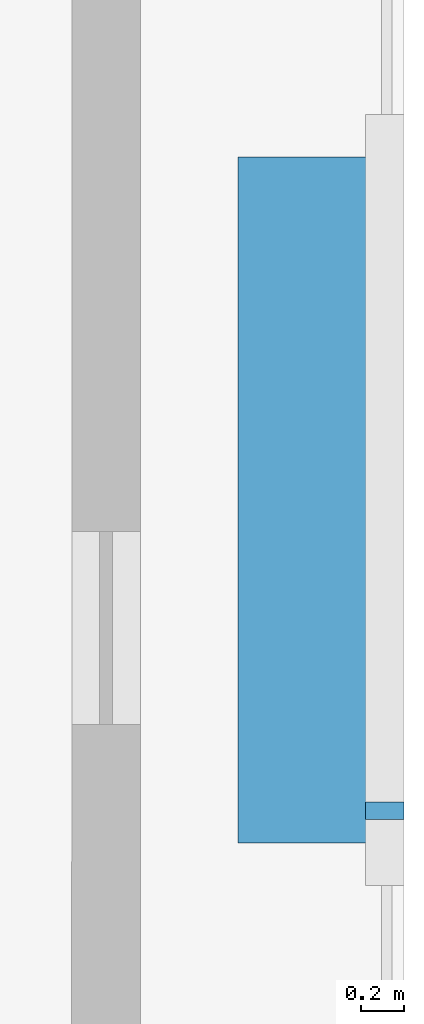
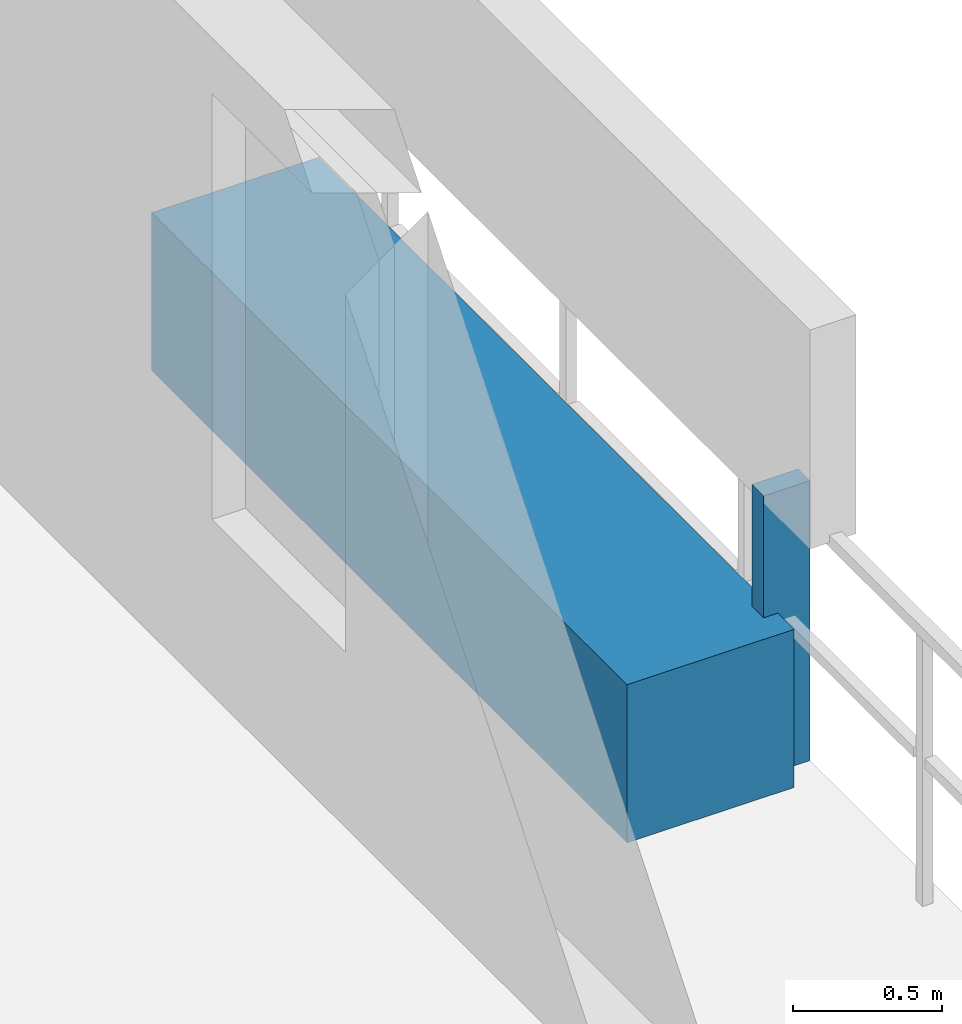
# One storey, part 27 of 31: 2 discrete accessories.
"""IFC4 building model written with IfcOpenShell, lengths in metres."""

import ifcopenshell
import ifcopenshell.guid

model = None  # the IFC model being written
_history = None  # IfcOwnerHistory: only IFC2X3 demands one
_inside = {}  # id of a spatial element -> (the spatial element, [elements in it])
_under = {}  # id of a project, library or spatial element -> (it, [spatial elements below it])
_declared = {}  # id of a project -> (the project, [libraries it declares])
_typed = {}  # id of a type object -> (the type object, [elements of that type])
_made_of = {}  # id of a material, layer set ... -> (it, [elements and type objects made of it])


def new_model(schema):
    """Start an empty IFC model of exactly this schema.

    Asked for "IFC4X3", IfcOpenShell would pick the latest addendum, in which some entities
    have other attributes; the version numbers below select the first issue.
    IFC2X3 requires an IfcOwnerHistory on every rooted entity: one is made here for all.
    """
    global model, _history
    if schema == "IFC4X3":
        model = ifcopenshell.file(schema_version=(4, 3, 0, 0))
    else:
        model = ifcopenshell.file(schema=schema)
    _inside.clear()
    _under.clear()
    _declared.clear()
    _typed.clear()
    _made_of.clear()
    _history = None
    if model.schema == "IFC2X3":
        org = make("IfcOrganization", Name="unknown")
        user = make(
            "IfcPersonAndOrganization",
            ThePerson=make("IfcPerson", FamilyName="unknown"),
            TheOrganization=org,
        )
        app = make(
            "IfcApplication",
            ApplicationDeveloper=org,
            Version="unknown",
            ApplicationFullName="unknown",
            ApplicationIdentifier="unknown",
        )
        _history = make(
            "IfcOwnerHistory",
            OwningUser=user,
            OwningApplication=app,
            ChangeAction="ADDED",
            CreationDate=0,
        )
    return model


def make(cls, **values):
    """One entity of the class cls with the attributes given. An attribute that is None is left unset."""
    return model.create_entity(
        cls, **{name: value for name, value in values.items() if value is not None}
    )


def rooted(cls, **values):
    """An entity with a GlobalId (a new one), such as an element, a storey or a relation."""
    return make(cls, GlobalId=ifcopenshell.guid.new(), OwnerHistory=_history, **values)


def si_unit(unit_type, name, prefix=None):
    """IfcSIUnit, for example si_unit("LENGTHUNIT", "METRE", prefix="MILLI")."""
    return make("IfcSIUnit", UnitType=unit_type, Prefix=prefix, Name=name)


def assignment(units):
    """IfcUnitAssignment: the units of a project."""
    return None if units is None else make("IfcUnitAssignment", Units=units)


def point(xyz):
    """IfcCartesianPoint."""
    return None if xyz is None else make("IfcCartesianPoint", Coordinates=xyz)


def direction(xyz):
    """IfcDirection."""
    return None if xyz is None else make("IfcDirection", DirectionRatios=xyz)


def frame(location, z_axis=None, x_axis=None):
    """IfcAxis2Placement3D, a coordinate frame: its origin and axes. An axis left out is left unset."""
    return make(
        "IfcAxis2Placement3D",
        Location=point(location),
        Axis=direction(z_axis),
        RefDirection=direction(x_axis),
    )


def frame_2d(location, x_axis=None):
    """IfcAxis2Placement2D, a coordinate frame in the plane: its origin and x axis."""
    return make(
        "IfcAxis2Placement2D", Location=point(location), RefDirection=direction(x_axis)
    )


def origin():
    """The frame at (0, 0, 0) with its axes left unset."""
    return frame((0.0, 0.0, 0.0))


def origin_2d():
    """The frame at (0, 0) in the plane with its x axis left unset."""
    return frame_2d((0.0, 0.0))


def place(relative_to, where):
    """IfcLocalPlacement: puts the frame where relative to a parent placement (None: the world)."""
    return make(
        "IfcLocalPlacement", PlacementRelTo=relative_to, RelativePlacement=where
    )


def context(
    kind, dimensions, precision=None, world=None, true_north=None, identifier=None
):
    """IfcGeometricRepresentationContext, for example the 3D "Model" context."""
    return make(
        "IfcGeometricRepresentationContext",
        ContextIdentifier=identifier,
        ContextType=kind,
        CoordinateSpaceDimension=dimensions,
        Precision=precision,
        WorldCoordinateSystem=world,
        TrueNorth=true_north,
    )


def subcontext(parent, identifier, kind, view, scale=None):
    """IfcGeometricRepresentationSubContext, for example "Body" below "Model"."""
    return make(
        "IfcGeometricRepresentationSubContext",
        ContextIdentifier=identifier,
        ContextType=kind,
        ParentContext=parent,
        TargetScale=scale,
        TargetView=view,
    )


def project(units=None, contexts=None):
    """IfcProject with its units and contexts."""
    return rooted(
        "IfcProject",
        Name="project",
        RepresentationContexts=contexts,
        UnitsInContext=assignment(units),
    )


def spatial(cls, under=None, at=None, **own):
    """A site, building, storey or space (cls), placed at a placement, below another one or the project."""
    s = rooted(cls, ObjectPlacement=at, **own)
    if under is not None:
        _under.setdefault(under.id(), (under, []))[1].append(s)
    return s


def profile(cls, at=None, kind="AREA", **sizes):
    """A parametric profile (cls). Its sizes go by their IFC names, for example OverallWidth=200.0."""
    return make(cls, ProfileType=kind, Position=at, **sizes)


def rectangle(**sizes):
    """IfcRectangleProfileDef."""
    return profile("IfcRectangleProfileDef", **sizes)


def extrude(swept, where, along, depth):
    """IfcExtrudedAreaSolid: the profile swept, set in the frame where, extruded along a direction by depth."""
    return make(
        "IfcExtrudedAreaSolid",
        SweptArea=swept,
        Position=where,
        ExtrudedDirection=direction(along),
        Depth=depth,
    )


def shape(context_of_items, identifier, shape_type, items):
    """IfcShapeRepresentation: the items that make up one representation, for example the "Body"."""
    return make(
        "IfcShapeRepresentation",
        ContextOfItems=context_of_items,
        RepresentationIdentifier=identifier,
        RepresentationType=shape_type,
        Items=items,
    )


def material(Name=None, Category=None):
    """IfcMaterial."""
    return make("IfcMaterial", Name=Name, Category=Category)


def made_of(thing, what):
    """Note that an element or type object is made of a material, layer set ...; save() writes the relation."""
    if what is not None:
        _made_of.setdefault(what.id(), (what, []))[1].append(thing)
    return thing


def type_object(cls, material=None, **own):
    """A type object (cls), such as IfcWallType, which elements share."""
    return made_of(rooted(cls, **own), material)


def element(
    cls,
    number,
    at=None,
    inside=None,
    cuts=None,
    type_object=None,
    material=None,
    context=None,
    identifier="Body",
    shape_type=None,
    held_by="IfcProductDefinitionShape",
    body=None,
    shapes=None,
    **own,
):
    """One element of the class cls, such as IfcWall. Its Tag is "e" and its number.

    at: its placement. inside: the storey or other place that contains it. cuts: it is an
    opening in that element (IfcRelVoidsElement). A single representation is given by context,
    identifier, shape_type and body (its items); several are given by shapes. held_by: the class
    of the entity that holds the representations. save() writes the other relations.
    """
    e = rooted(cls, Tag="e%d" % number, ObjectPlacement=at, **own)
    if body is not None:
        shapes = [shape(context, identifier, shape_type, body)]
    if shapes is not None:
        e.Representation = make(held_by, Representations=shapes)
    if inside is not None:
        _inside.setdefault(inside.id(), (inside, []))[1].append(e)
    if cuts is not None:
        rooted(
            "IfcRelVoidsElement", RelatingBuildingElement=cuts, RelatedOpeningElement=e
        )
    if type_object is not None:
        _typed.setdefault(type_object.id(), (type_object, []))[1].append(e)
    return made_of(e, material)


def aggregate(whole, parts):
    """IfcRelAggregates: a whole, such as a stair, and the parts it consists of."""
    return rooted("IfcRelAggregates", RelatingObject=whole, RelatedObjects=parts)


def save(model, path):
    """Write the relations noted so far, then the file.

    IfcRelAggregates (storeys below a building ...), IfcRelContainedInSpatialStructure (elements
    in a storey), IfcRelDefinesByType, IfcRelAssociatesMaterial and IfcRelDeclares: one each for
    every whole, place, type object, material and project.
    """
    for whole, parts in _under.values():
        aggregate(whole, parts)
    for where, things in _inside.values():
        rooted(
            "IfcRelContainedInSpatialStructure",
            RelatedElements=things,
            RelatingStructure=where,
        )
    for kind, things in _typed.values():
        rooted("IfcRelDefinesByType", RelatedObjects=things, RelatingType=kind)
    for what, things in _made_of.values():
        rooted("IfcRelAssociatesMaterial", RelatedObjects=things, RelatingMaterial=what)
    for by, libraries in _declared.values():
        rooted("IfcRelDeclares", RelatingContext=by, RelatedDefinitions=libraries)
    model.write(path)


model = new_model("IFC4")

# Units and contexts
model_context = context("Model", 3, precision=1e-05, world=origin(), true_north=direction((0.0, 1.0)))
body_context = subcontext(model_context, "Body", "Model", "MODEL_VIEW")
ifc_project = project(units=[si_unit("LENGTHUNIT", "METRE"), si_unit("AREAUNIT", "SQUARE_METRE"), si_unit("VOLUMEUNIT", "CUBIC_METRE"), si_unit("PLANEANGLEUNIT", "RADIAN"), si_unit("MASSUNIT", "GRAM", prefix="KILO")], contexts=[model_context])

# Site, building, storey
site_placement = place(None, origin())
site = spatial("IfcSite", under=ifc_project, at=site_placement, CompositionType="ELEMENT")
building_placement = place(site_placement, origin())
building = spatial("IfcBuilding", under=site, at=building_placement, Name="Thornwick Lancets Civic Towers", CompositionType="ELEMENT")
storey_placement = place(building_placement, frame((0.0, 0.0, 236.699951171875)))
storey = spatial("IfcBuildingStorey", under=building, at=storey_placement, Name="L63", CompositionType="ELEMENT", Elevation=236.699951171875)

# Discrete accessories
ifc_material_1 = material(Name="Planted terracotta greenery planter", Category="masonry")
discrete_accessory_type_1 = type_object("IfcDiscreteAccessoryType", Name="ACC_PLANTER_BOX", PredefinedType="USERDEFINED", material=ifc_material_1)
discrete_accessory_1_placement = place(storey_placement, frame((113.199951171875, 27.0, 0.0), z_axis=(0.0, 0.0, 1.0), x_axis=(1.0, 0.0, 0.0)))
element("IfcDiscreteAccessory", 1, at=discrete_accessory_1_placement, inside=storey, type_object=discrete_accessory_type_1, Name="L63 Tower B Balcony Greenery Planter E", ObjectType="PLANTER", PredefinedType="USERDEFINED", context=body_context, shape_type="SweptSolid", body=[
    extrude(rectangle(XDim=0.64990234375, YDim=3.199951171875, at=origin_2d()), origin(), (0.0, 0.0, 1.0), 0.64990234375),
])
ifc_material_2 = material(Name="Stainless steel S355", Category="steel")
discrete_accessory_type_2 = type_object("IfcDiscreteAccessoryType", Name="ACC_SCREEN_BRACKET", PredefinedType="BRACKET", material=ifc_material_2)
discrete_accessory_2_placement = place(storey_placement, frame((113.56005859375, 25.550048828125, 0.0), z_axis=(0.0, 0.0, 1.0), x_axis=(0.0, 1.0, 0.0)))
element("IfcDiscreteAccessory", 2, at=discrete_accessory_2_placement, inside=storey, type_object=discrete_accessory_type_2, Name="L63 Tower B Balcony Screen Stanchion Bracket E-1", PredefinedType="BRACKET", context=body_context, shape_type="SweptSolid", body=[
    extrude(rectangle(XDim=0.080078125, YDim=0.179931640625, at=origin_2d()), origin(), (0.0, 0.0, 1.0), 1.14990234375),
])

save(model, "model.ifc")
